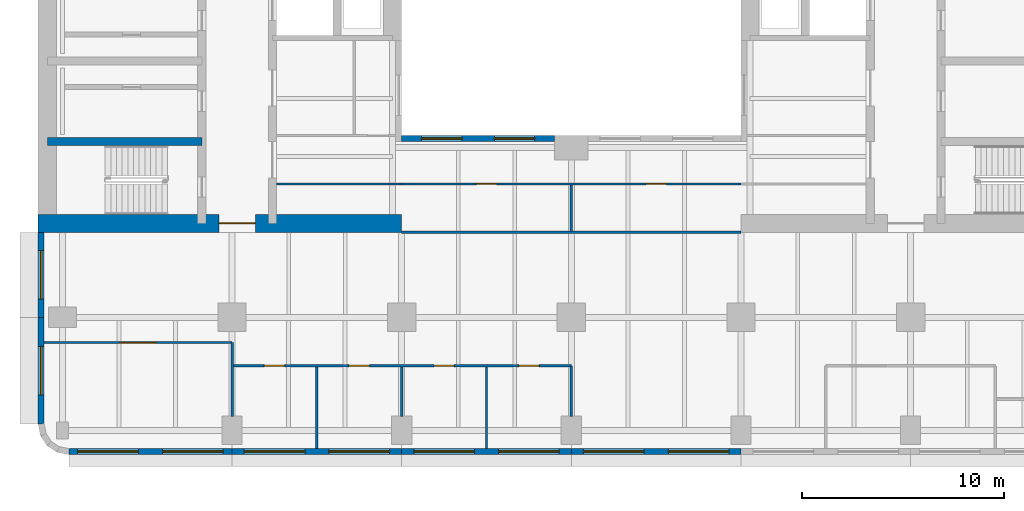
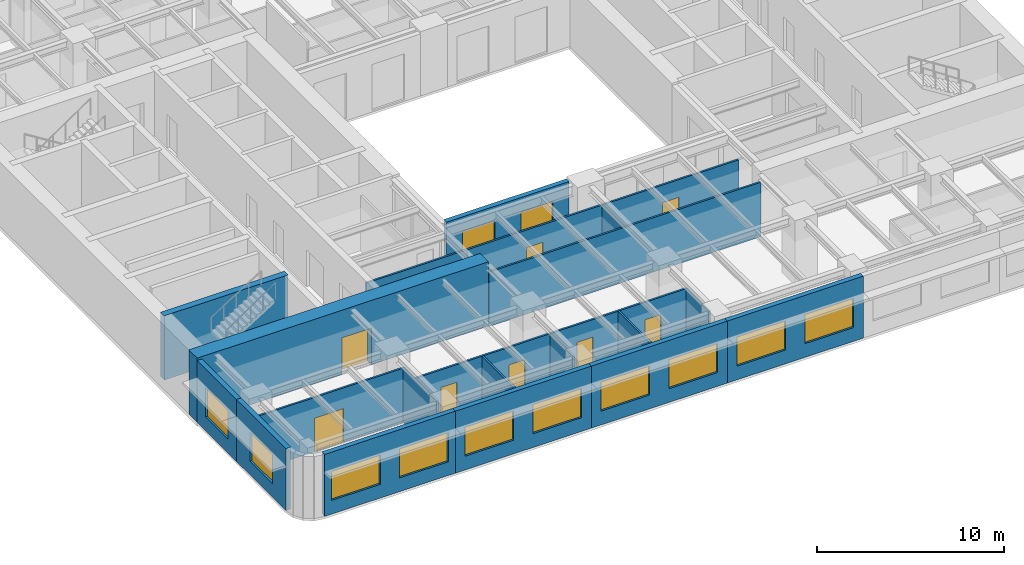
# One storey, part 3 of 11: 20 walls, 12 windows, 8 doors, 20 openings.
"""IFC4 building model written with IfcOpenShell, lengths in metres."""

import ifcopenshell
import ifcopenshell.guid

model = None  # the IFC model being written
_history = None  # IfcOwnerHistory: only IFC2X3 demands one
_inside = {}  # id of a spatial element -> (the spatial element, [elements in it])
_under = {}  # id of a project, library or spatial element -> (it, [spatial elements below it])
_declared = {}  # id of a project -> (the project, [libraries it declares])
_typed = {}  # id of a type object -> (the type object, [elements of that type])
_made_of = {}  # id of a material, layer set ... -> (it, [elements and type objects made of it])


def new_model(schema):
    """Start an empty IFC model of exactly this schema.

    Asked for "IFC4X3", IfcOpenShell would pick the latest addendum, in which some entities
    have other attributes; the version numbers below select the first issue.
    IFC2X3 requires an IfcOwnerHistory on every rooted entity: one is made here for all.
    """
    global model, _history
    if schema == "IFC4X3":
        model = ifcopenshell.file(schema_version=(4, 3, 0, 0))
    else:
        model = ifcopenshell.file(schema=schema)
    _inside.clear()
    _under.clear()
    _declared.clear()
    _typed.clear()
    _made_of.clear()
    _history = None
    if model.schema == "IFC2X3":
        org = make("IfcOrganization", Name="unknown")
        user = make(
            "IfcPersonAndOrganization",
            ThePerson=make("IfcPerson", FamilyName="unknown"),
            TheOrganization=org,
        )
        app = make(
            "IfcApplication",
            ApplicationDeveloper=org,
            Version="unknown",
            ApplicationFullName="unknown",
            ApplicationIdentifier="unknown",
        )
        _history = make(
            "IfcOwnerHistory",
            OwningUser=user,
            OwningApplication=app,
            ChangeAction="ADDED",
            CreationDate=0,
        )
    return model


def make(cls, **values):
    """One entity of the class cls with the attributes given. An attribute that is None is left unset."""
    return model.create_entity(
        cls, **{name: value for name, value in values.items() if value is not None}
    )


def rooted(cls, **values):
    """An entity with a GlobalId (a new one), such as an element, a storey or a relation."""
    return make(cls, GlobalId=ifcopenshell.guid.new(), OwnerHistory=_history, **values)


def si_unit(unit_type, name, prefix=None):
    """IfcSIUnit, for example si_unit("LENGTHUNIT", "METRE", prefix="MILLI")."""
    return make("IfcSIUnit", UnitType=unit_type, Prefix=prefix, Name=name)


def assignment(units):
    """IfcUnitAssignment: the units of a project."""
    return None if units is None else make("IfcUnitAssignment", Units=units)


def point(xyz):
    """IfcCartesianPoint."""
    return None if xyz is None else make("IfcCartesianPoint", Coordinates=xyz)


def direction(xyz):
    """IfcDirection."""
    return None if xyz is None else make("IfcDirection", DirectionRatios=xyz)


def frame(location, z_axis=None, x_axis=None):
    """IfcAxis2Placement3D, a coordinate frame: its origin and axes. An axis left out is left unset."""
    return make(
        "IfcAxis2Placement3D",
        Location=point(location),
        Axis=direction(z_axis),
        RefDirection=direction(x_axis),
    )


def frame_2d(location, x_axis=None):
    """IfcAxis2Placement2D, a coordinate frame in the plane: its origin and x axis."""
    return make(
        "IfcAxis2Placement2D", Location=point(location), RefDirection=direction(x_axis)
    )


def origin():
    """The frame at (0, 0, 0) with its axes left unset."""
    return frame((0.0, 0.0, 0.0))


def place(relative_to, where):
    """IfcLocalPlacement: puts the frame where relative to a parent placement (None: the world)."""
    return make(
        "IfcLocalPlacement", PlacementRelTo=relative_to, RelativePlacement=where
    )


def context(
    kind, dimensions, precision=None, world=None, true_north=None, identifier=None
):
    """IfcGeometricRepresentationContext, for example the 3D "Model" context."""
    return make(
        "IfcGeometricRepresentationContext",
        ContextIdentifier=identifier,
        ContextType=kind,
        CoordinateSpaceDimension=dimensions,
        Precision=precision,
        WorldCoordinateSystem=world,
        TrueNorth=true_north,
    )


def subcontext(parent, identifier, kind, view, scale=None):
    """IfcGeometricRepresentationSubContext, for example "Body" below "Model"."""
    return make(
        "IfcGeometricRepresentationSubContext",
        ContextIdentifier=identifier,
        ContextType=kind,
        ParentContext=parent,
        TargetScale=scale,
        TargetView=view,
    )


def project(units=None, contexts=None):
    """IfcProject with its units and contexts."""
    return rooted(
        "IfcProject",
        Name="project",
        RepresentationContexts=contexts,
        UnitsInContext=assignment(units),
    )


def spatial(cls, under=None, at=None, **own):
    """A site, building, storey or space (cls), placed at a placement, below another one or the project."""
    s = rooted(cls, ObjectPlacement=at, **own)
    if under is not None:
        _under.setdefault(under.id(), (under, []))[1].append(s)
    return s


def profile(cls, at=None, kind="AREA", **sizes):
    """A parametric profile (cls). Its sizes go by their IFC names, for example OverallWidth=200.0."""
    return make(cls, ProfileType=kind, Position=at, **sizes)


def rectangle(**sizes):
    """IfcRectangleProfileDef."""
    return profile("IfcRectangleProfileDef", **sizes)


def extrude(swept, where, along, depth):
    """IfcExtrudedAreaSolid: the profile swept, set in the frame where, extruded along a direction by depth."""
    return make(
        "IfcExtrudedAreaSolid",
        SweptArea=swept,
        Position=where,
        ExtrudedDirection=direction(along),
        Depth=depth,
    )


def shape(context_of_items, identifier, shape_type, items):
    """IfcShapeRepresentation: the items that make up one representation, for example the "Body"."""
    return make(
        "IfcShapeRepresentation",
        ContextOfItems=context_of_items,
        RepresentationIdentifier=identifier,
        RepresentationType=shape_type,
        Items=items,
    )


def material(Name=None, Category=None):
    """IfcMaterial."""
    return make("IfcMaterial", Name=Name, Category=Category)


def layer(
    of_material, thickness, ventilated=None, Name=None, Category=None, Priority=None
):
    """IfcMaterialLayer: one layer of a wall or slab, of a material (None: an air gap)."""
    return make(
        "IfcMaterialLayer",
        Material=of_material,
        LayerThickness=thickness,
        IsVentilated=ventilated,
        Name=Name,
        Category=Category,
        Priority=Priority,
    )


def layer_set(layers, Name=None):
    """IfcMaterialLayerSet."""
    return make("IfcMaterialLayerSet", MaterialLayers=layers, LayerSetName=Name)


def made_of(thing, what):
    """Note that an element or type object is made of a material, layer set ...; save() writes the relation."""
    if what is not None:
        _made_of.setdefault(what.id(), (what, []))[1].append(thing)
    return thing


def type_object(cls, material=None, **own):
    """A type object (cls), such as IfcWallType, which elements share."""
    return made_of(rooted(cls, **own), material)


def element(
    cls,
    number,
    at=None,
    inside=None,
    cuts=None,
    type_object=None,
    material=None,
    context=None,
    identifier="Body",
    shape_type=None,
    held_by="IfcProductDefinitionShape",
    body=None,
    shapes=None,
    **own,
):
    """One element of the class cls, such as IfcWall. Its Tag is "e" and its number.

    at: its placement. inside: the storey or other place that contains it. cuts: it is an
    opening in that element (IfcRelVoidsElement). A single representation is given by context,
    identifier, shape_type and body (its items); several are given by shapes. held_by: the class
    of the entity that holds the representations. save() writes the other relations.
    """
    e = rooted(cls, Tag="e%d" % number, ObjectPlacement=at, **own)
    if body is not None:
        shapes = [shape(context, identifier, shape_type, body)]
    if shapes is not None:
        e.Representation = make(held_by, Representations=shapes)
    if inside is not None:
        _inside.setdefault(inside.id(), (inside, []))[1].append(e)
    if cuts is not None:
        rooted(
            "IfcRelVoidsElement", RelatingBuildingElement=cuts, RelatedOpeningElement=e
        )
    if type_object is not None:
        _typed.setdefault(type_object.id(), (type_object, []))[1].append(e)
    return made_of(e, material)


def fill(opening, filler):
    """IfcRelFillsElement: the door or window that sits in an opening."""
    return rooted(
        "IfcRelFillsElement",
        RelatingOpeningElement=opening,
        RelatedBuildingElement=filler,
    )


def aggregate(whole, parts):
    """IfcRelAggregates: a whole, such as a stair, and the parts it consists of."""
    return rooted("IfcRelAggregates", RelatingObject=whole, RelatedObjects=parts)


def save(model, path):
    """Write the relations noted so far, then the file.

    IfcRelAggregates (storeys below a building ...), IfcRelContainedInSpatialStructure (elements
    in a storey), IfcRelDefinesByType, IfcRelAssociatesMaterial and IfcRelDeclares: one each for
    every whole, place, type object, material and project.
    """
    for whole, parts in _under.values():
        aggregate(whole, parts)
    for where, things in _inside.values():
        rooted(
            "IfcRelContainedInSpatialStructure",
            RelatedElements=things,
            RelatingStructure=where,
        )
    for kind, things in _typed.values():
        rooted("IfcRelDefinesByType", RelatedObjects=things, RelatingType=kind)
    for what, things in _made_of.values():
        rooted("IfcRelAssociatesMaterial", RelatedObjects=things, RelatingMaterial=what)
    for by, libraries in _declared.values():
        rooted("IfcRelDeclares", RelatingContext=by, RelatedDefinitions=libraries)
    model.write(path)


model = new_model("IFC4")

# Units and contexts
model_context = context("Model", 3, precision=1e-05, world=origin(), true_north=direction((0.0, 1.0)))
body_context = subcontext(model_context, "Body", "Model", "MODEL_VIEW")
ifc_project = project(units=[si_unit("LENGTHUNIT", "METRE"), si_unit("AREAUNIT", "SQUARE_METRE"), si_unit("VOLUMEUNIT", "CUBIC_METRE"), si_unit("PLANEANGLEUNIT", "RADIAN"), si_unit("MASSUNIT", "GRAM", prefix="KILO")], contexts=[model_context])

# Site, building, storey
site_placement = place(None, origin())
site = spatial("IfcSite", under=ifc_project, at=site_placement, CompositionType="ELEMENT")
building_placement = place(site_placement, origin())
building = spatial("IfcBuilding", under=site, at=building_placement, Name="Claustro Exchange Tower", CompositionType="ELEMENT")
storey_placement = place(building_placement, frame((0.0, 0.0, 121.800048828125)))
storey = spatial("IfcBuildingStorey", under=building, at=storey_placement, Name="L27", CompositionType="ELEMENT", Elevation=121.800048828125)

# Wall, opening, door
ifc_material_1 = material(Name="Laminated glass in aluminium frame", Category="aluminium")
ifc_layer_1 = layer(ifc_material_1, 0.1201171875)
ifc_layer_set_1 = layer_set([ifc_layer_1], Name="Laminated glass in aluminium frame")
wall_type_1 = type_object("IfcWallType", Name="P2 120 glazed partition", PredefinedType="PARTITIONING", material=ifc_layer_set_1)
wall_1_placement = place(storey_placement, frame((-0.902099609375, 7.14990234375, 0.0), z_axis=(0.0, 0.0, 1.0), x_axis=(1.0, 0.0, 0.0)))
wall_1 = element("IfcWall", 1, at=wall_1_placement, inside=storey, type_object=wall_type_1, Name="Partition P2 L27", PredefinedType="PARTITIONING", context=body_context, shape_type="SweptSolid", body=[
    extrude(rectangle(XDim=9.302001953125, YDim=0.1201171875, at=frame_2d((4.65087890625, 0.0))), origin(), (0.0, 0.0, 1.0), 3.550048828125),
])
opening_1_placement = place(wall_1_placement, frame((3.751953125, 0.0, 0.0)))
opening_1 = element("IfcOpeningElement", 2, at=opening_1_placement, cuts=wall_1, Name="Opening D2", PredefinedType="OPENING", context=body_context, shape_type="SweptSolid", body=[
    extrude(rectangle(XDim=1.800048828125, YDim=2.199951171875, at=frame_2d((0.89990234375, 1.10009765625))), frame((0.0, 0.070068359375, 0.0), z_axis=(0.0, -1.0, 0.0), x_axis=(1.0, 0.0, 0.0)), (0.0, 0.0, 1.0), 0.14013671875),
])
ifc_material_2 = material(Name="Timber door, oak veneer", Category="wood")
door_type_1 = type_object("IfcDoorType", Name="D2 1800 x 2200 double door", OperationType="DOUBLE_DOOR_SINGLE_SWING", PredefinedType="DOOR", material=ifc_material_2)
door_1_placement = place(opening_1_placement, frame((1.800048828125, 0.0, 0.0), z_axis=(0.0, 0.0, 1.0), x_axis=(-1.0, 0.0, 0.0)))
door_1 = element("IfcDoor", 3, at=door_1_placement, inside=storey, type_object=door_type_1, Name="Double door D2 L27", OperationType="DOUBLE_DOOR_SINGLE_SWING", OverallHeight=2.199951171875, OverallWidth=1.800048828125, PredefinedType="DOOR", context=body_context, shape_type="SweptSolid", body=[
    extrude(rectangle(XDim=1.800048828125, YDim=2.199951171875, at=frame_2d((0.89990234375, 1.10009765625))), frame((0.0, 0.02490234375, 0.0), z_axis=(0.0, -1.0, 0.0), x_axis=(1.0, 0.0, 0.0)), (0.0, 0.0, 1.0), 0.050048828125),
])
fill(opening_1, door_1)

# Wall, openings, doors
wall_2_placement = place(storey_placement, frame((8.4580078125, 6.0, 0.0), z_axis=(0.0, 0.0, 1.0), x_axis=(1.0, 0.0, 0.0)))
wall_2 = element("IfcWall", 4, at=wall_2_placement, inside=storey, type_object=wall_type_1, Name="Partition P2 L27", PredefinedType="PARTITIONING", context=body_context, shape_type="SweptSolid", body=[
    extrude(rectangle(XDim=16.741943359375, YDim=0.1201171875, at=frame_2d((8.37109375, 0.0))), origin(), (0.0, 0.0, 1.0), 3.550048828125),
])
opening_2_placement = place(wall_2_placement, frame((1.5419921875, 0.0, 0.0)))
opening_2 = element("IfcOpeningElement", 5, at=opening_2_placement, cuts=wall_2, Name="Opening D7", PredefinedType="OPENING", context=body_context, shape_type="SweptSolid", body=[
    extrude(rectangle(XDim=1.0, YDim=2.39990234375, at=frame_2d((0.5, 1.199951171875))), frame((0.0, 0.070068359375, 0.0), z_axis=(0.0, -1.0, 0.0), x_axis=(1.0, 0.0, 0.0)), (0.0, 0.0, 1.0), 0.14013671875),
])
opening_3_placement = place(wall_2_placement, frame((5.741943359375, 0.0, 0.0)))
opening_3 = element("IfcOpeningElement", 6, at=opening_3_placement, cuts=wall_2, Name="Opening D7", PredefinedType="OPENING", context=body_context, shape_type="SweptSolid", body=[
    extrude(rectangle(XDim=1.0, YDim=2.39990234375, at=frame_2d((0.5, 1.199951171875))), frame((0.0, 0.070068359375, 0.0), z_axis=(0.0, -1.0, 0.0), x_axis=(1.0, 0.0, 0.0)), (0.0, 0.0, 1.0), 0.14013671875),
])
opening_4_placement = place(wall_2_placement, frame((9.94189453125, 0.0, 0.0)))
opening_4 = element("IfcOpeningElement", 7, at=opening_4_placement, cuts=wall_2, Name="Opening D7", PredefinedType="OPENING", context=body_context, shape_type="SweptSolid", body=[
    extrude(rectangle(XDim=1.0, YDim=2.39990234375, at=frame_2d((0.5, 1.199951171875))), frame((0.0, 0.070068359375, 0.0), z_axis=(0.0, -1.0, 0.0), x_axis=(1.0, 0.0, 0.0)), (0.0, 0.0, 1.0), 0.14013671875),
])
opening_5_placement = place(wall_2_placement, frame((14.14208984375, 0.0, 0.0)))
opening_5 = element("IfcOpeningElement", 8, at=opening_5_placement, cuts=wall_2, Name="Opening D7", PredefinedType="OPENING", context=body_context, shape_type="SweptSolid", body=[
    extrude(rectangle(XDim=1.0, YDim=2.39990234375, at=frame_2d((0.5, 1.199951171875))), frame((0.0, 0.070068359375, 0.0), z_axis=(0.0, -1.0, 0.0), x_axis=(1.0, 0.0, 0.0)), (0.0, 0.0, 1.0), 0.14013671875),
])
ifc_material_3 = material(Name="Glass door in aluminium frame", Category="aluminium")
door_type_2 = type_object("IfcDoorType", Name="D7 1000 x 2400 glazed door", OperationType="SINGLE_SWING_LEFT", PredefinedType="DOOR", material=ifc_material_3)
door_2_placement = place(opening_2_placement, frame((1.0, 0.0, 0.0), z_axis=(0.0, 0.0, 1.0), x_axis=(-1.0, 0.0, 0.0)))
door_2 = element("IfcDoor", 9, at=door_2_placement, inside=storey, type_object=door_type_2, Name="Door D7 L27", OperationType="SINGLE_SWING_LEFT", OverallHeight=2.39990234375, OverallWidth=1.0, PredefinedType="DOOR", context=body_context, shape_type="SweptSolid", body=[
    extrude(rectangle(XDim=1.0, YDim=2.39990234375, at=frame_2d((0.5, 1.199951171875))), frame((0.0, 0.02490234375, 0.0), z_axis=(0.0, -1.0, 0.0), x_axis=(1.0, 0.0, 0.0)), (0.0, 0.0, 1.0), 0.050048828125),
])
fill(opening_2, door_2)
door_3_placement = place(opening_3_placement, frame((1.0, 0.0, 0.0), z_axis=(0.0, 0.0, 1.0), x_axis=(-1.0, 0.0, 0.0)))
door_3 = element("IfcDoor", 10, at=door_3_placement, inside=storey, type_object=door_type_2, Name="Door D7 L27", OperationType="SINGLE_SWING_RIGHT", OverallHeight=2.39990234375, OverallWidth=1.0, PredefinedType="DOOR", context=body_context, shape_type="SweptSolid", body=[
    extrude(rectangle(XDim=1.0, YDim=2.39990234375, at=frame_2d((0.5, 1.199951171875))), frame((0.0, 0.02490234375, 0.0), z_axis=(0.0, -1.0, 0.0), x_axis=(1.0, 0.0, 0.0)), (0.0, 0.0, 1.0), 0.050048828125),
])
fill(opening_3, door_3)
door_4_placement = place(opening_4_placement, frame((1.0, 0.0, 0.0), z_axis=(0.0, 0.0, 1.0), x_axis=(-1.0, 0.0, 0.0)))
door_4 = element("IfcDoor", 11, at=door_4_placement, inside=storey, type_object=door_type_2, Name="Door D7 L27", OperationType="SINGLE_SWING_RIGHT", OverallHeight=2.39990234375, OverallWidth=1.0, PredefinedType="DOOR", context=body_context, shape_type="SweptSolid", body=[
    extrude(rectangle(XDim=1.0, YDim=2.39990234375, at=frame_2d((0.5, 1.199951171875))), frame((0.0, 0.02490234375, 0.0), z_axis=(0.0, -1.0, 0.0), x_axis=(1.0, 0.0, 0.0)), (0.0, 0.0, 1.0), 0.050048828125),
])
fill(opening_4, door_4)
door_5_placement = place(opening_5_placement, frame((1.0, 0.0, 0.0), z_axis=(0.0, 0.0, 1.0), x_axis=(-1.0, 0.0, 0.0)))
door_5 = element("IfcDoor", 12, at=door_5_placement, inside=storey, type_object=door_type_2, Name="Door D7 L27", OperationType="SINGLE_SWING_LEFT", OverallHeight=2.39990234375, OverallWidth=1.0, PredefinedType="DOOR", context=body_context, shape_type="SweptSolid", body=[
    extrude(rectangle(XDim=1.0, YDim=2.39990234375, at=frame_2d((0.5, 1.199951171875))), frame((0.0, 0.02490234375, 0.0), z_axis=(0.0, -1.0, 0.0), x_axis=(1.0, 0.0, 0.0)), (0.0, 0.0, 1.0), 0.050048828125),
])
fill(opening_5, door_5)

# Walls
wall_3_placement = place(storey_placement, frame((8.39990234375, 3.4990234375, 0.0), z_axis=(0.0, 0.0, 1.0), x_axis=(0.0, 1.0, 0.0)))
element("IfcWall", 13, at=wall_3_placement, inside=storey, type_object=wall_type_1, Name="Partition P2 L27", PredefinedType="PARTITIONING", context=body_context, shape_type="SweptSolid", body=[
    extrude(rectangle(XDim=3.65087890625, YDim=0.1201171875, at=frame_2d((1.825439453125, 0.0))), origin(), (0.0, 0.0, 1.0), 3.550048828125),
])
wall_4_placement = place(storey_placement, frame((12.60009765625, 1.89794921875, 0.0), z_axis=(0.0, 0.0, 1.0), x_axis=(0.0, 1.0, 0.0)))
element("IfcWall", 14, at=wall_4_placement, inside=storey, type_object=wall_type_1, Name="Partition P2 L27", PredefinedType="PARTITIONING", context=body_context, shape_type="SweptSolid", body=[
    extrude(rectangle(XDim=4.0439453125, YDim=0.1201171875, at=frame_2d((2.02197265625, 0.0))), origin(), (0.0, 0.0, 1.0), 3.56005859375),
])
wall_5_placement = place(storey_placement, frame((16.800048828125, 3.4990234375, 0.0), z_axis=(0.0, 0.0, 1.0), x_axis=(0.0, 1.0, 0.0)))
element("IfcWall", 15, at=wall_5_placement, inside=storey, type_object=wall_type_1, Name="Partition P2 L27", PredefinedType="PARTITIONING", context=body_context, shape_type="SweptSolid", body=[
    extrude(rectangle(XDim=2.44287109375, YDim=0.1201171875, at=frame_2d((1.221435546875, 0.0))), origin(), (0.0, 0.0, 1.0), 3.550048828125),
])
wall_6_placement = place(storey_placement, frame((21.0, 1.89794921875, 0.0), z_axis=(0.0, 0.0, 1.0), x_axis=(0.0, 1.0, 0.0)))
element("IfcWall", 16, at=wall_6_placement, inside=storey, type_object=wall_type_1, Name="Partition P2 L27", PredefinedType="PARTITIONING", context=body_context, shape_type="SweptSolid", body=[
    extrude(rectangle(XDim=4.0439453125, YDim=0.1201171875, at=frame_2d((2.02197265625, 0.0))), origin(), (0.0, 0.0, 1.0), 3.56005859375),
])
wall_7_placement = place(storey_placement, frame((25.199951171875, 3.4990234375, 0.0), z_axis=(0.0, 0.0, 1.0), x_axis=(0.0, 1.0, 0.0)))
element("IfcWall", 17, at=wall_7_placement, inside=storey, type_object=wall_type_1, Name="Partition P2 L27", PredefinedType="PARTITIONING", context=body_context, shape_type="SweptSolid", body=[
    extrude(rectangle(XDim=2.5009765625, YDim=0.1201171875, at=frame_2d((1.25048828125, 0.0))), origin(), (0.0, 0.0, 1.0), 3.550048828125),
])
wall_8_placement = place(storey_placement, frame((10.597900390625, 15.0, 0.0), z_axis=(0.0, 0.0, 1.0), x_axis=(1.0, 0.0, 0.0)))
element("IfcWall", 18, at=wall_8_placement, inside=storey, type_object=wall_type_1, Name="Partition P2 L27", PredefinedType="PARTITIONING", context=body_context, shape_type="SweptSolid", body=[
    extrude(rectangle(XDim=6.2041015625, YDim=0.1201171875, at=frame_2d((3.10205078125, 0.0))), origin(), (0.0, 0.0, 1.0), 3.550048828125),
])
wall_9_placement = place(storey_placement, frame((25.199951171875, 12.657958984375, 0.0), z_axis=(0.0, 0.0, 1.0), x_axis=(0.0, 1.0, 0.0)))
element("IfcWall", 19, at=wall_9_placement, inside=storey, type_object=wall_type_1, Name="Partition P2 L27", PredefinedType="PARTITIONING", context=body_context, shape_type="SweptSolid", body=[
    extrude(rectangle(XDim=2.283935546875, YDim=0.1201171875, at=frame_2d((1.14208984375, 0.0))), origin(), (0.0, 0.0, 1.0), 3.550048828125),
])

# Wall, openings, doors
wall_10_placement = place(storey_placement, frame((16.798095703125, 15.0, 0.0), z_axis=(0.0, 0.0, 1.0), x_axis=(1.0, 0.0, 0.0)))
wall_10 = element("IfcWall", 20, at=wall_10_placement, inside=storey, type_object=wall_type_1, Name="Partition P2 L27", PredefinedType="PARTITIONING", context=body_context, shape_type="SweptSolid", body=[
    extrude(rectangle(XDim=16.803955078125, YDim=0.1201171875, at=frame_2d((8.40185546875, 0.0))), origin(), (0.0, 0.0, 1.0), 3.550048828125),
])
opening_6_placement = place(wall_10_placement, frame((3.701904296875, 0.0, 0.0)))
opening_6 = element("IfcOpeningElement", 21, at=opening_6_placement, cuts=wall_10, Name="Opening D7", PredefinedType="OPENING", context=body_context, shape_type="SweptSolid", body=[
    extrude(rectangle(XDim=1.0, YDim=2.39990234375, at=frame_2d((0.5, 1.199951171875))), frame((0.0, 0.070068359375, 0.0), z_axis=(0.0, -1.0, 0.0), x_axis=(1.0, 0.0, 0.0)), (0.0, 0.0, 1.0), 0.14013671875),
])
opening_7_placement = place(wall_10_placement, frame((12.10205078125, 0.0, 0.0)))
opening_7 = element("IfcOpeningElement", 22, at=opening_7_placement, cuts=wall_10, Name="Opening D7", PredefinedType="OPENING", context=body_context, shape_type="SweptSolid", body=[
    extrude(rectangle(XDim=1.0, YDim=2.39990234375, at=frame_2d((0.5, 1.199951171875))), frame((0.0, 0.070068359375, 0.0), z_axis=(0.0, -1.0, 0.0), x_axis=(1.0, 0.0, 0.0)), (0.0, 0.0, 1.0), 0.14013671875),
])
door_6_placement = place(opening_6_placement, frame((1.0, 0.0, 0.0), z_axis=(0.0, 0.0, 1.0), x_axis=(-1.0, 0.0, 0.0)))
door_6 = element("IfcDoor", 23, at=door_6_placement, inside=storey, type_object=door_type_2, Name="Door D7 L27", OperationType="SINGLE_SWING_RIGHT", OverallHeight=2.39990234375, OverallWidth=1.0, PredefinedType="DOOR", context=body_context, shape_type="SweptSolid", body=[
    extrude(rectangle(XDim=1.0, YDim=2.39990234375, at=frame_2d((0.5, 1.199951171875))), frame((0.0, 0.02490234375, 0.0), z_axis=(0.0, -1.0, 0.0), x_axis=(1.0, 0.0, 0.0)), (0.0, 0.0, 1.0), 0.050048828125),
])
fill(opening_6, door_6)
door_7_placement = place(opening_7_placement, frame((1.0, 0.0, 0.0), z_axis=(0.0, 0.0, 1.0), x_axis=(-1.0, 0.0, 0.0)))
door_7 = element("IfcDoor", 24, at=door_7_placement, inside=storey, type_object=door_type_2, Name="Door D7 L27", OperationType="SINGLE_SWING_RIGHT", OverallHeight=2.39990234375, OverallWidth=1.0, PredefinedType="DOOR", context=body_context, shape_type="SweptSolid", body=[
    extrude(rectangle(XDim=1.0, YDim=2.39990234375, at=frame_2d((0.5, 1.199951171875))), frame((0.0, 0.02490234375, 0.0), z_axis=(0.0, -1.0, 0.0), x_axis=(1.0, 0.0, 0.0)), (0.0, 0.0, 1.0), 0.050048828125),
])
fill(opening_7, door_7)

# Wall
wall_11_placement = place(storey_placement, frame((16.800048828125, 12.60009765625, 0.0), z_axis=(0.0, 0.0, 1.0), x_axis=(1.0, 0.0, 0.0)))
element("IfcWall", 25, at=wall_11_placement, inside=storey, type_object=wall_type_1, Name="Partition P2 L27", PredefinedType="PARTITIONING", context=body_context, shape_type="SweptSolid", body=[
    extrude(rectangle(XDim=16.800048828125, YDim=0.1201171875, at=frame_2d((8.39990234375, 0.0))), origin(), (0.0, 0.0, 1.0), 3.550048828125),
])

# Wall, openings, windows
ifc_material_4 = material(Name="Concrete HA-40 (C40/50), precast, white cement, acid-etched", Category="concrete")
ifc_layer_2 = layer(ifc_material_4, 0.300048828125)
ifc_layer_set_2 = layer_set([ifc_layer_2], Name="Concrete HA-40 (C40/50), precast, white cement, acid-etched")
wall_type_2 = type_object("IfcWallType", Name="PC1 300 precast concrete pier panel", PredefinedType="SOLIDWALL", material=ifc_layer_set_2)
wall_12_placement = place(storey_placement, frame((33.60009765625, 1.75, 0.0), z_axis=(0.0, 0.0, 1.0), x_axis=(-1.0, 0.0, 0.0)))
wall_12 = element("IfcWall", 26, at=wall_12_placement, inside=storey, type_object=wall_type_2, Name="Precast pier panel PC1 L27", PredefinedType="SOLIDWALL", context=body_context, shape_type="SweptSolid", body=[
    extrude(rectangle(XDim=8.400146484375, YDim=0.300048828125, at=frame_2d((4.2001953125, 0.0))), origin(), (0.0, 0.0, 1.0), 4.050048828125),
])
opening_8_placement = place(wall_12_placement, frame((0.60009765625, 0.0, 0.89990234375)))
opening_8 = element("IfcOpeningElement", 27, at=opening_8_placement, cuts=wall_12, Name="Opening W1", PredefinedType="OPENING", context=body_context, shape_type="SweptSolid", body=[
    extrude(rectangle(XDim=3.0, YDim=1.89990234375, at=frame_2d((1.5, 0.949951171875))), frame((0.0, 0.159912109375, 0.0), z_axis=(0.0, -1.0, 0.0), x_axis=(1.0, 0.0, 0.0)), (0.0, 0.0, 1.0), 0.320068359375),
])
opening_9_placement = place(wall_12_placement, frame((4.800048828125, 0.0, 0.89990234375)))
opening_9 = element("IfcOpeningElement", 28, at=opening_9_placement, cuts=wall_12, Name="Opening W1", PredefinedType="OPENING", context=body_context, shape_type="SweptSolid", body=[
    extrude(rectangle(XDim=3.0, YDim=1.89990234375, at=frame_2d((1.5, 0.949951171875))), frame((0.0, 0.159912109375, 0.0), z_axis=(0.0, -1.0, 0.0), x_axis=(1.0, 0.0, 0.0)), (0.0, 0.0, 1.0), 0.320068359375),
])
ifc_material_5 = material(Name="Aluminium frame, clear double glazing", Category="aluminium")
window_type_1 = type_object("IfcWindowType", Name="W1 3000 x 1900 window", PartitioningType="SINGLE_PANEL", PredefinedType="WINDOW", material=ifc_material_5)
window_1_placement = place(opening_8_placement, origin())
window_1 = element("IfcWindow", 29, at=window_1_placement, inside=storey, type_object=window_type_1, Name="Window W1 L27", OverallHeight=1.89990234375, OverallWidth=3.0, PartitioningType="SINGLE_PANEL", PredefinedType="WINDOW", context=body_context, shape_type="SweptSolid", body=[
    extrude(rectangle(XDim=3.0, YDim=1.89990234375, at=frame_2d((1.5, 0.949951171875))), frame((0.0, 0.030029296875, 0.0), z_axis=(0.0, -1.0, 0.0), x_axis=(1.0, 0.0, 0.0)), (0.0, 0.0, 1.0), 0.06005859375),
])
fill(opening_8, window_1)
window_2_placement = place(opening_9_placement, origin())
window_2 = element("IfcWindow", 30, at=window_2_placement, inside=storey, type_object=window_type_1, Name="Window W1 L27", OverallHeight=1.89990234375, OverallWidth=3.0, PartitioningType="SINGLE_PANEL", PredefinedType="WINDOW", context=body_context, shape_type="SweptSolid", body=[
    extrude(rectangle(XDim=3.0, YDim=1.89990234375, at=frame_2d((1.5, 0.949951171875))), frame((0.0, 0.030029296875, 0.0), z_axis=(0.0, -1.0, 0.0), x_axis=(1.0, 0.0, 0.0)), (0.0, 0.0, 1.0), 0.06005859375),
])
fill(opening_9, window_2)

wall_13_placement = place(storey_placement, frame((25.199951171875, 1.75, 0.0), z_axis=(0.0, 0.0, 1.0), x_axis=(-1.0, 0.0, 0.0)))
wall_13 = element("IfcWall", 31, at=wall_13_placement, inside=storey, type_object=wall_type_2, Name="Precast pier panel PC1 L27", PredefinedType="SOLIDWALL", context=body_context, shape_type="SweptSolid", body=[
    extrude(rectangle(XDim=8.39990234375, YDim=0.300048828125, at=frame_2d((4.199951171875, 0.0))), origin(), (0.0, 0.0, 1.0), 4.050048828125),
])
opening_10_placement = place(wall_13_placement, frame((0.60009765625, 0.0, 0.89990234375)))
opening_10 = element("IfcOpeningElement", 32, at=opening_10_placement, cuts=wall_13, Name="Opening W1", PredefinedType="OPENING", context=body_context, shape_type="SweptSolid", body=[
    extrude(rectangle(XDim=3.0, YDim=1.89990234375, at=frame_2d((1.5, 0.949951171875))), frame((0.0, 0.159912109375, 0.0), z_axis=(0.0, -1.0, 0.0), x_axis=(1.0, 0.0, 0.0)), (0.0, 0.0, 1.0), 0.320068359375),
])
opening_11_placement = place(wall_13_placement, frame((4.800048828125, 0.0, 0.89990234375)))
opening_11 = element("IfcOpeningElement", 33, at=opening_11_placement, cuts=wall_13, Name="Opening W1", PredefinedType="OPENING", context=body_context, shape_type="SweptSolid", body=[
    extrude(rectangle(XDim=3.0, YDim=1.89990234375, at=frame_2d((1.5, 0.949951171875))), frame((0.0, 0.159912109375, 0.0), z_axis=(0.0, -1.0, 0.0), x_axis=(1.0, 0.0, 0.0)), (0.0, 0.0, 1.0), 0.320068359375),
])
window_3_placement = place(opening_10_placement, origin())
window_3 = element("IfcWindow", 34, at=window_3_placement, inside=storey, type_object=window_type_1, Name="Window W1 L27", OverallHeight=1.89990234375, OverallWidth=3.0, PartitioningType="SINGLE_PANEL", PredefinedType="WINDOW", context=body_context, shape_type="SweptSolid", body=[
    extrude(rectangle(XDim=3.0, YDim=1.89990234375, at=frame_2d((1.5, 0.949951171875))), frame((0.0, 0.030029296875, 0.0), z_axis=(0.0, -1.0, 0.0), x_axis=(1.0, 0.0, 0.0)), (0.0, 0.0, 1.0), 0.06005859375),
])
fill(opening_10, window_3)
window_4_placement = place(opening_11_placement, origin())
window_4 = element("IfcWindow", 35, at=window_4_placement, inside=storey, type_object=window_type_1, Name="Window W1 L27", OverallHeight=1.89990234375, OverallWidth=3.0, PartitioningType="SINGLE_PANEL", PredefinedType="WINDOW", context=body_context, shape_type="SweptSolid", body=[
    extrude(rectangle(XDim=3.0, YDim=1.89990234375, at=frame_2d((1.5, 0.949951171875))), frame((0.0, 0.030029296875, 0.0), z_axis=(0.0, -1.0, 0.0), x_axis=(1.0, 0.0, 0.0)), (0.0, 0.0, 1.0), 0.06005859375),
])
fill(opening_11, window_4)

wall_14_placement = place(storey_placement, frame((16.800048828125, 1.75, 0.0), z_axis=(0.0, 0.0, 1.0), x_axis=(-1.0, 0.0, 0.0)))
wall_14 = element("IfcWall", 36, at=wall_14_placement, inside=storey, type_object=wall_type_2, Name="Precast pier panel PC1 L27", PredefinedType="SOLIDWALL", context=body_context, shape_type="SweptSolid", body=[
    extrude(rectangle(XDim=8.400146484375, YDim=0.300048828125, at=frame_2d((4.2001953125, 0.0))), origin(), (0.0, 0.0, 1.0), 4.050048828125),
])
opening_12_placement = place(wall_14_placement, frame((0.60009765625, 0.0, 0.89990234375)))
opening_12 = element("IfcOpeningElement", 37, at=opening_12_placement, cuts=wall_14, Name="Opening W1", PredefinedType="OPENING", context=body_context, shape_type="SweptSolid", body=[
    extrude(rectangle(XDim=3.0, YDim=1.89990234375, at=frame_2d((1.5, 0.949951171875))), frame((0.0, 0.159912109375, 0.0), z_axis=(0.0, -1.0, 0.0), x_axis=(1.0, 0.0, 0.0)), (0.0, 0.0, 1.0), 0.320068359375),
])
opening_13_placement = place(wall_14_placement, frame((4.800048828125, 0.0, 0.89990234375)))
opening_13 = element("IfcOpeningElement", 38, at=opening_13_placement, cuts=wall_14, Name="Opening W1", PredefinedType="OPENING", context=body_context, shape_type="SweptSolid", body=[
    extrude(rectangle(XDim=3.0, YDim=1.89990234375, at=frame_2d((1.5, 0.949951171875))), frame((0.0, 0.159912109375, 0.0), z_axis=(0.0, -1.0, 0.0), x_axis=(1.0, 0.0, 0.0)), (0.0, 0.0, 1.0), 0.320068359375),
])
window_5_placement = place(opening_12_placement, origin())
window_5 = element("IfcWindow", 39, at=window_5_placement, inside=storey, type_object=window_type_1, Name="Window W1 L27", OverallHeight=1.89990234375, OverallWidth=3.0, PartitioningType="SINGLE_PANEL", PredefinedType="WINDOW", context=body_context, shape_type="SweptSolid", body=[
    extrude(rectangle(XDim=3.0, YDim=1.89990234375, at=frame_2d((1.5, 0.949951171875))), frame((0.0, 0.030029296875, 0.0), z_axis=(0.0, -1.0, 0.0), x_axis=(1.0, 0.0, 0.0)), (0.0, 0.0, 1.0), 0.06005859375),
])
fill(opening_12, window_5)
window_6_placement = place(opening_13_placement, origin())
window_6 = element("IfcWindow", 40, at=window_6_placement, inside=storey, type_object=window_type_1, Name="Window W1 L27", OverallHeight=1.89990234375, OverallWidth=3.0, PartitioningType="SINGLE_PANEL", PredefinedType="WINDOW", context=body_context, shape_type="SweptSolid", body=[
    extrude(rectangle(XDim=3.0, YDim=1.89990234375, at=frame_2d((1.5, 0.949951171875))), frame((0.0, 0.030029296875, 0.0), z_axis=(0.0, -1.0, 0.0), x_axis=(1.0, 0.0, 0.0)), (0.0, 0.0, 1.0), 0.06005859375),
])
fill(opening_13, window_6)

wall_15_placement = place(storey_placement, frame((8.39990234375, 1.75, 0.0), z_axis=(0.0, 0.0, 1.0), x_axis=(-1.0, 0.0, 0.0)))
wall_15 = element("IfcWall", 41, at=wall_15_placement, inside=storey, type_object=wall_type_2, Name="Precast pier panel PC1 L27", PredefinedType="SOLIDWALL", context=body_context, shape_type="SweptSolid", body=[
    extrude(rectangle(XDim=8.085205078125, YDim=0.300048828125, at=frame_2d((4.04248046875, 0.0))), origin(), (0.0, 0.0, 1.0), 4.050048828125),
])
opening_14_placement = place(wall_15_placement, frame((0.442626953125, 0.0, 0.89990234375)))
opening_14 = element("IfcOpeningElement", 42, at=opening_14_placement, cuts=wall_15, Name="Opening W1", PredefinedType="OPENING", context=body_context, shape_type="SweptSolid", body=[
    extrude(rectangle(XDim=3.0, YDim=1.89990234375, at=frame_2d((1.5, 0.949951171875))), frame((0.0, 0.159912109375, 0.0), z_axis=(0.0, -1.0, 0.0), x_axis=(1.0, 0.0, 0.0)), (0.0, 0.0, 1.0), 0.320068359375),
])
opening_15_placement = place(wall_15_placement, frame((4.642578125, 0.0, 0.89990234375)))
opening_15 = element("IfcOpeningElement", 43, at=opening_15_placement, cuts=wall_15, Name="Opening W1", PredefinedType="OPENING", context=body_context, shape_type="SweptSolid", body=[
    extrude(rectangle(XDim=3.0, YDim=1.89990234375, at=frame_2d((1.5, 0.949951171875))), frame((0.0, 0.159912109375, 0.0), z_axis=(0.0, -1.0, 0.0), x_axis=(1.0, 0.0, 0.0)), (0.0, 0.0, 1.0), 0.320068359375),
])
window_7_placement = place(opening_14_placement, origin())
window_7 = element("IfcWindow", 44, at=window_7_placement, inside=storey, type_object=window_type_1, Name="Window W1 L27", OverallHeight=1.89990234375, OverallWidth=3.0, PartitioningType="SINGLE_PANEL", PredefinedType="WINDOW", context=body_context, shape_type="SweptSolid", body=[
    extrude(rectangle(XDim=3.0, YDim=1.89990234375, at=frame_2d((1.5, 0.949951171875))), frame((0.0, 0.030029296875, 0.0), z_axis=(0.0, -1.0, 0.0), x_axis=(1.0, 0.0, 0.0)), (0.0, 0.0, 1.0), 0.06005859375),
])
fill(opening_14, window_7)
window_8_placement = place(opening_15_placement, origin())
window_8 = element("IfcWindow", 45, at=window_8_placement, inside=storey, type_object=window_type_1, Name="Window W1 L27", OverallHeight=1.89990234375, OverallWidth=3.0, PartitioningType="SINGLE_PANEL", PredefinedType="WINDOW", context=body_context, shape_type="SweptSolid", body=[
    extrude(rectangle(XDim=3.0, YDim=1.89990234375, at=frame_2d((1.5, 0.949951171875))), frame((0.0, 0.030029296875, 0.0), z_axis=(0.0, -1.0, 0.0), x_axis=(1.0, 0.0, 0.0)), (0.0, 0.0, 1.0), 0.06005859375),
])
fill(opening_15, window_8)

# Wall, opening, window
wall_16_placement = place(storey_placement, frame((-1.050048828125, 3.11474609375, 0.0), z_axis=(0.0, 0.0, 1.0), x_axis=(0.0, 1.0, 0.0)))
wall_16 = element("IfcWall", 46, at=wall_16_placement, inside=storey, type_object=wall_type_2, Name="Precast pier panel PC1 L27", PredefinedType="SOLIDWALL", context=body_context, shape_type="SweptSolid", body=[
    extrude(rectangle(XDim=5.28515625, YDim=0.300048828125, at=frame_2d((2.642578125, 0.0))), origin(), (0.0, 0.0, 1.0), 4.050048828125),
])
opening_16_placement = place(wall_16_placement, frame((1.442626953125, 0.0, 0.89990234375)))
opening_16 = element("IfcOpeningElement", 47, at=opening_16_placement, cuts=wall_16, Name="Opening W2", PredefinedType="OPENING", context=body_context, shape_type="SweptSolid", body=[
    extrude(rectangle(XDim=2.39990234375, YDim=1.89990234375, at=frame_2d((1.199951171875, 0.949951171875))), frame((0.0, 0.159912109375, 0.0), z_axis=(0.0, -1.0, 0.0), x_axis=(1.0, 0.0, 0.0)), (0.0, 0.0, 1.0), 0.320068359375),
])
ifc_material_6 = material(Name="Aluminium frame, clear double glazing", Category="aluminium")
window_type_2 = type_object("IfcWindowType", Name="W2 2400 x 1900 window", PartitioningType="SINGLE_PANEL", PredefinedType="WINDOW", material=ifc_material_6)
window_9_placement = place(opening_16_placement, origin())
window_9 = element("IfcWindow", 48, at=window_9_placement, inside=storey, type_object=window_type_2, Name="Window W2 L27", OverallHeight=1.89990234375, OverallWidth=2.39990234375, PartitioningType="SINGLE_PANEL", PredefinedType="WINDOW", context=body_context, shape_type="SweptSolid", body=[
    extrude(rectangle(XDim=2.39990234375, YDim=1.89990234375, at=frame_2d((1.199951171875, 0.949951171875))), frame((0.0, 0.030029296875, 0.0), z_axis=(0.0, -1.0, 0.0), x_axis=(1.0, 0.0, 0.0)), (0.0, 0.0, 1.0), 0.06005859375),
])
fill(opening_16, window_9)

wall_17_placement = place(storey_placement, frame((-1.050048828125, 8.39990234375, 0.0), z_axis=(0.0, 0.0, 1.0), x_axis=(0.0, 1.0, 0.0)))
wall_17 = element("IfcWall", 49, at=wall_17_placement, inside=storey, type_object=wall_type_2, Name="Precast pier panel PC1 L27", PredefinedType="SOLIDWALL", context=body_context, shape_type="SweptSolid", body=[
    extrude(rectangle(XDim=4.2001953125, YDim=0.300048828125, at=frame_2d((2.10009765625, 0.0))), origin(), (0.0, 0.0, 1.0), 4.050048828125),
])
opening_17_placement = place(wall_17_placement, frame((0.89990234375, 0.0, 0.89990234375)))
opening_17 = element("IfcOpeningElement", 50, at=opening_17_placement, cuts=wall_17, Name="Opening W2", PredefinedType="OPENING", context=body_context, shape_type="SweptSolid", body=[
    extrude(rectangle(XDim=2.39990234375, YDim=1.89990234375, at=frame_2d((1.199951171875, 0.949951171875))), frame((0.0, 0.159912109375, 0.0), z_axis=(0.0, -1.0, 0.0), x_axis=(1.0, 0.0, 0.0)), (0.0, 0.0, 1.0), 0.320068359375),
])
window_10_placement = place(opening_17_placement, origin())
window_10 = element("IfcWindow", 51, at=window_10_placement, inside=storey, type_object=window_type_2, Name="Window W2 L27", OverallHeight=1.89990234375, OverallWidth=2.39990234375, PartitioningType="SINGLE_PANEL", PredefinedType="WINDOW", context=body_context, shape_type="SweptSolid", body=[
    extrude(rectangle(XDim=2.39990234375, YDim=1.89990234375, at=frame_2d((1.199951171875, 0.949951171875))), frame((0.0, 0.030029296875, 0.0), z_axis=(0.0, -1.0, 0.0), x_axis=(1.0, 0.0, 0.0)), (0.0, 0.0, 1.0), 0.06005859375),
])
fill(opening_17, window_10)

# Wall, openings, windows
wall_18_placement = place(storey_placement, frame((16.800048828125, 17.25, 0.0), z_axis=(0.0, 0.0, 1.0), x_axis=(1.0, 0.0, 0.0)))
wall_18 = element("IfcWall", 52, at=wall_18_placement, inside=storey, type_object=wall_type_2, Name="Precast pier panel PC1 L27", PredefinedType="SOLIDWALL", context=body_context, shape_type="SweptSolid", body=[
    extrude(rectangle(XDim=7.574951171875, YDim=0.300048828125, at=frame_2d((3.78759765625, 0.0))), origin(), (0.0, 0.0, 1.0), 4.050048828125),
])
opening_18_placement = place(wall_18_placement, frame((0.987548828125, 0.0, 0.10009765625)))
opening_18 = element("IfcOpeningElement", 53, at=opening_18_placement, cuts=wall_18, Name="Opening W-A", PredefinedType="OPENING", context=body_context, shape_type="SweptSolid", body=[
    extrude(rectangle(XDim=2.0, YDim=3.0, at=frame_2d((1.0, 1.5))), frame((0.0, 0.159912109375, 0.0), z_axis=(0.0, -1.0, 0.0), x_axis=(1.0, 0.0, 0.0)), (0.0, 0.0, 1.0), 0.320068359375),
])
opening_19_placement = place(wall_18_placement, frame((4.58740234375, 0.0, 0.10009765625)))
opening_19 = element("IfcOpeningElement", 54, at=opening_19_placement, cuts=wall_18, Name="Opening W-A", PredefinedType="OPENING", context=body_context, shape_type="SweptSolid", body=[
    extrude(rectangle(XDim=2.0, YDim=3.0, at=frame_2d((1.0, 1.5))), frame((0.0, 0.159912109375, 0.0), z_axis=(0.0, -1.0, 0.0), x_axis=(1.0, 0.0, 0.0)), (0.0, 0.0, 1.0), 0.320068359375),
])
ifc_material_7 = material(Name="Aluminium frame, clear double glazing", Category="aluminium")
window_type_3 = type_object("IfcWindowType", Name="W-A 2000 x 3000 arcade window", PartitioningType="SINGLE_PANEL", PredefinedType="WINDOW", material=ifc_material_7)
window_11_placement = place(opening_18_placement, origin())
window_11 = element("IfcWindow", 55, at=window_11_placement, inside=storey, type_object=window_type_3, Name="Window W-A L27", OverallHeight=3.0, OverallWidth=2.0, PartitioningType="SINGLE_PANEL", PredefinedType="WINDOW", context=body_context, shape_type="SweptSolid", body=[
    extrude(rectangle(XDim=2.0, YDim=3.0, at=frame_2d((1.0, 1.5))), frame((0.0, 0.030029296875, 0.0), z_axis=(0.0, -1.0, 0.0), x_axis=(1.0, 0.0, 0.0)), (0.0, 0.0, 1.0), 0.06005859375),
])
fill(opening_18, window_11)
window_12_placement = place(opening_19_placement, origin())
window_12 = element("IfcWindow", 56, at=window_12_placement, inside=storey, type_object=window_type_3, Name="Window W-A L27", OverallHeight=3.0, OverallWidth=2.0, PartitioningType="SINGLE_PANEL", PredefinedType="WINDOW", context=body_context, shape_type="SweptSolid", body=[
    extrude(rectangle(XDim=2.0, YDim=3.0, at=frame_2d((1.0, 1.5))), frame((0.0, 0.030029296875, 0.0), z_axis=(0.0, -1.0, 0.0), x_axis=(1.0, 0.0, 0.0)), (0.0, 0.0, 1.0), 0.06005859375),
])
fill(opening_19, window_12)

# Wall, opening, door
ifc_material_8 = material(Name="Concrete HA-70 (C70/85)", Category="concrete")
ifc_layer_3 = layer(ifc_material_8, 0.89990234375)
ifc_layer_set_3 = layer_set([ifc_layer_3], Name="Concrete HA-70 (C70/85)")
wall_type_3 = type_object("IfcWallType", Name="SW1 900 core shear wall", PredefinedType="SHEAR", material=ifc_layer_set_3)
wall_19_placement = place(storey_placement, frame((-1.199951171875, 13.050048828125, 0.0), z_axis=(0.0, 0.0, 1.0), x_axis=(1.0, 0.0, 0.0)))
wall_19 = element("IfcWall", 57, at=wall_19_placement, inside=storey, type_object=wall_type_3, Name="Core wall SW1 W core S face L27", PredefinedType="SHEAR", context=body_context, shape_type="SweptSolid", body=[
    extrude(rectangle(XDim=18.0, YDim=0.89990234375, at=frame_2d((9.0, 0.0))), origin(), (0.0, 0.0, 1.0), 4.199951171875),
])
opening_20_placement = place(wall_19_placement, frame((8.949951171875, 0.0, 0.0)))
opening_20 = element("IfcOpeningElement", 58, at=opening_20_placement, cuts=wall_19, Name="Opening D3", PredefinedType="OPENING", context=body_context, shape_type="SweptSolid", body=[
    extrude(rectangle(XDim=1.800048828125, YDim=2.39990234375, at=frame_2d((0.89990234375, 1.199951171875))), frame((0.0, 0.4599609375, 0.0), z_axis=(0.0, -1.0, 0.0), x_axis=(1.0, 0.0, 0.0)), (0.0, 0.0, 1.0), 0.919921875),
])
ifc_material_9 = material(Name="Steel fire door, painted", Category="steel")
door_type_3 = type_object("IfcDoorType", Name="D3 1800 x 2400 fire-rated lobby double door", OperationType="DOUBLE_DOOR_SINGLE_SWING", PredefinedType="DOOR", material=ifc_material_9)
door_8_placement = place(opening_20_placement, frame((1.800048828125, 0.0, 0.0), z_axis=(0.0, 0.0, 1.0), x_axis=(-1.0, 0.0, 0.0)))
door_8 = element("IfcDoor", 59, at=door_8_placement, inside=storey, type_object=door_type_3, Name="Lift lobby door D3 L27", OperationType="DOUBLE_DOOR_SINGLE_SWING", OverallHeight=2.39990234375, OverallWidth=1.800048828125, PredefinedType="DOOR", context=body_context, shape_type="SweptSolid", body=[
    extrude(rectangle(XDim=1.800048828125, YDim=2.39990234375, at=frame_2d((0.89990234375, 1.199951171875))), frame((0.0, 0.02490234375, 0.0), z_axis=(0.0, -1.0, 0.0), x_axis=(1.0, 0.0, 0.0)), (0.0, 0.0, 1.0), 0.050048828125),
])
fill(opening_20, door_8)

# Wall
ifc_material_10 = material(Name="Concrete HA-50 (C50/60)", Category="concrete")
ifc_layer_4 = layer(ifc_material_10, 0.39990234375)
ifc_layer_set_4 = layer_set([ifc_layer_4], Name="Concrete HA-50 (C50/60)")
wall_type_4 = type_object("IfcWallType", Name="SW4 400 internal core wall", PredefinedType="SHEAR", material=ifc_layer_set_4)
wall_20_placement = place(storey_placement, frame((-0.75, 17.10009765625, 0.0), z_axis=(0.0, 0.0, 1.0), x_axis=(1.0, 0.0, 0.0)))
element("IfcWall", 60, at=wall_20_placement, inside=storey, type_object=wall_type_4, Name="Internal core wall SW4 W core L27", PredefinedType="SHEAR", context=body_context, shape_type="SweptSolid", body=[
    extrude(rectangle(XDim=7.64990234375, YDim=0.39990234375, at=frame_2d((3.824951171875, 0.0))), origin(), (0.0, 0.0, 1.0), 4.199951171875),
])

save(model, "model.ifc")
